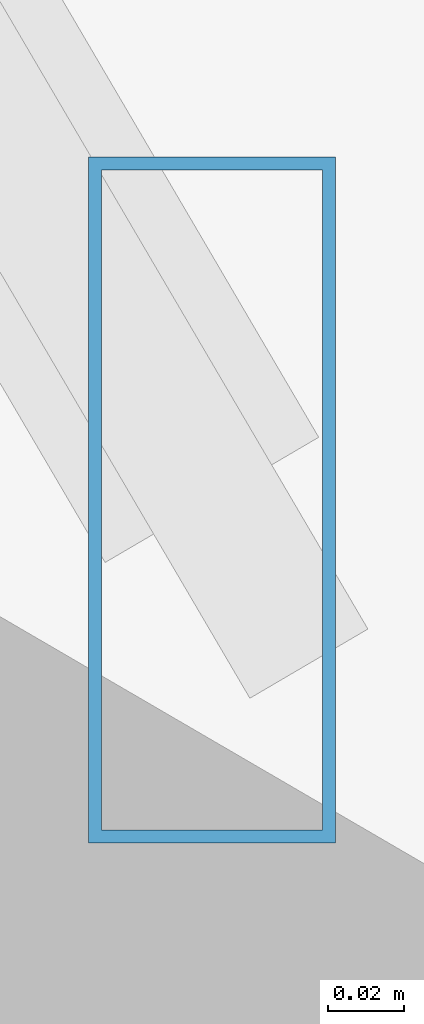
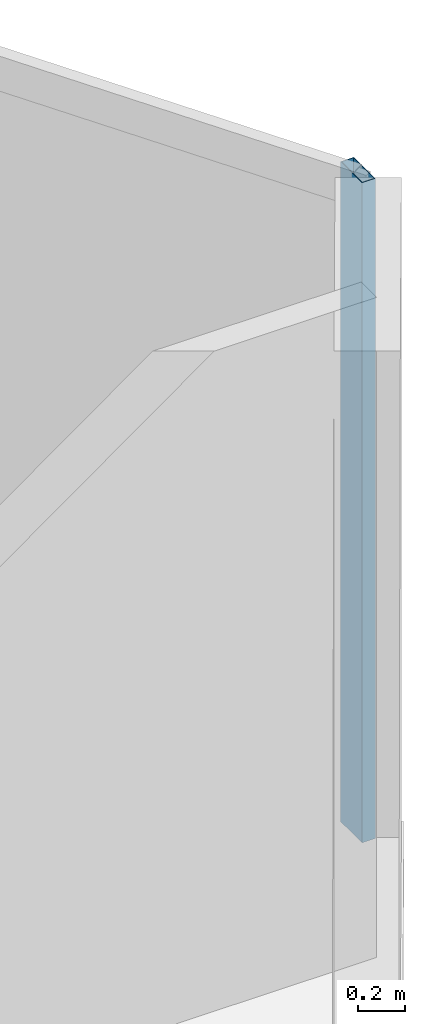
# One storey, part 16 of 33: 1 member, 1 element without a shape of its own.
"""IFC4 building model written with IfcOpenShell, lengths in metres."""

from ifc_helpers import new_model, si_unit, direction, frame, origin, origin_2d, place, context, subcontext, project, spatial, hollow_rectangle, extrude, source, transform, mapped, material, material_profile, profile_set, type_object, type_shapes, element, aggregate, save


model = new_model("IFC4")

# Units and contexts
model_context = context("Model", 3, precision=1e-05, world=origin(), true_north=direction((0.0, 1.0)))
body_context = subcontext(model_context, "Body", "Model", "MODEL_VIEW")
ifc_project = project(units=[si_unit("LENGTHUNIT", "METRE"), si_unit("AREAUNIT", "SQUARE_METRE"), si_unit("VOLUMEUNIT", "CUBIC_METRE"), si_unit("PLANEANGLEUNIT", "RADIAN"), si_unit("MASSUNIT", "GRAM", prefix="KILO")], contexts=[model_context])

# Site, building, storey
site_placement = place(None, origin())
site = spatial("IfcSite", under=ifc_project, at=site_placement, CompositionType="ELEMENT")
building_placement = place(site_placement, origin())
building = spatial("IfcBuilding", under=site, at=building_placement, Name="Caelisora Broadcast Tower", CompositionType="ELEMENT")
storey_placement = place(building_placement, frame((0.0, 0.0, 42.199951171875)))
storey = spatial("IfcBuildingStorey", under=building, at=storey_placement, Name="L10", CompositionType="ELEMENT", Elevation=42.199951171875)

# Curtain wall, member
ifc_material_1 = material(Name="Unitised Aluminium and Low-E Glass Curtain Wall", Category="glass")
curtain_wall_type = type_object("IfcCurtainWallType", Name="CW-Z1", PredefinedType="NOTDEFINED", material=ifc_material_1)
curtain_wall_placement = place(storey_placement, origin())
curtain_wall = element("IfcCurtainWall", 1, at=curtain_wall_placement, inside=storey, type_object=curtain_wall_type, Name="L10 curtain wall CW-Z1", PredefinedType="NOTDEFINED")
ifc_material_2 = material(Name="Aluminium 6063-T6 Anodised Terracotta Bronze", Category="aluminium")
ifc_material_profile = material_profile(ifc_material_2, hollow_rectangle(XDim=0.06494140625, YDim=0.179931640625, WallThickness=0.00341796875, at=origin_2d()), Name="Aluminium 6063-T6 Anodised Terracotta Bronze")
ifc_profile_set = profile_set([ifc_material_profile], Name="Aluminium 6063-T6 Anodised Terracotta Bronze")
member_type = type_object("IfcMemberType", Name="CWM-02", PredefinedType="MULLION", material=ifc_profile_set)
shared_shape = source(origin(), body_context, "Body", "SweptSolid", [
    extrude(hollow_rectangle(XDim=0.06494140625, YDim=0.179931640625, WallThickness=0.00341796875, at=origin_2d()), origin(), (0.0, 0.0, 1.0), 3.400146484375),
])
type_shapes(member_type, [shared_shape])
member_placement = place(storey_placement, frame((64.49462890625, 17.885986328125, 0.0), z_axis=(0.0, 0.0, 1.0), x_axis=(1.0, 0.0, 0.0)))
member = element("IfcMember", 2, at=member_placement, type_object=member_type, Name="L10-CW-B03 mullion #3", PredefinedType="MULLION", context=body_context, shape_type="MappedRepresentation", body=[
    mapped(shared_shape, transform((0.0, 0.0, 0.0), scale=1.0)),
])
aggregate(curtain_wall, [member])

save(model, "model.ifc")
